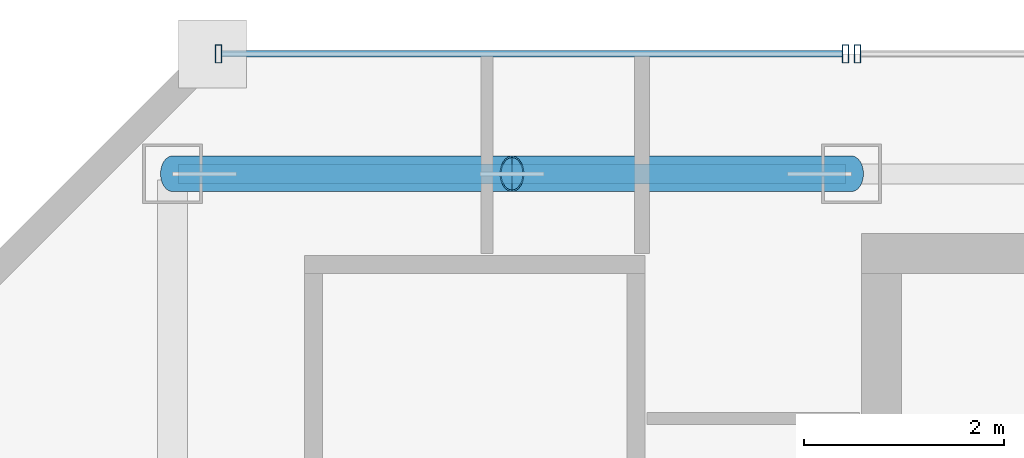
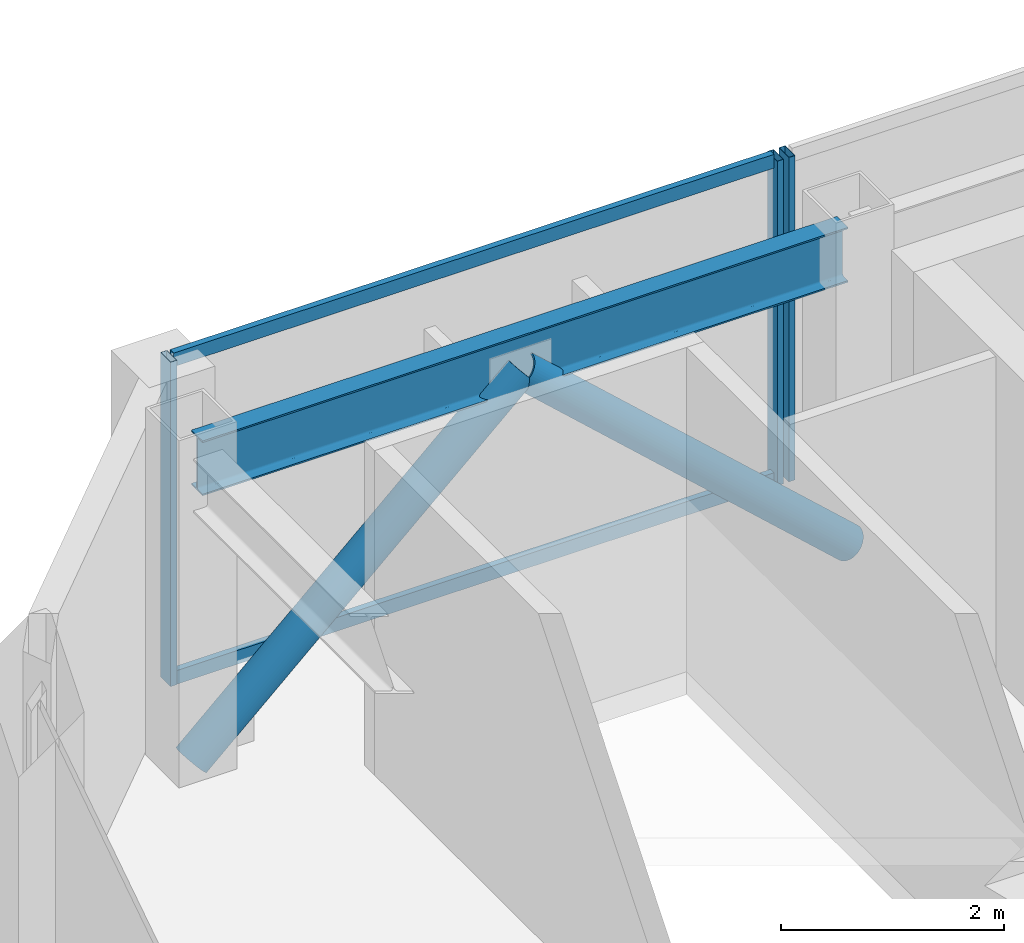
# One storey, part 20 of 32: 7 members, 1 beam, 2 elements without a shape of their own.
"""IFC4 building model written with IfcOpenShell, lengths in metres."""

from ifc_helpers import new_model, si_unit, direction, frame, origin, origin_2d, place, context, subcontext, project, spatial, hollow_rectangle, hollow_circle, i_section, extrude, material, material_profile, profile_set, type_object, element, aggregate, save


model = new_model("IFC4")

# Units and contexts
model_context = context("Model", 3, precision=1e-05, world=origin(), true_north=direction((0.0, 1.0)))
body_context = subcontext(model_context, "Body", "Model", "MODEL_VIEW")
ifc_project = project(units=[si_unit("LENGTHUNIT", "METRE"), si_unit("AREAUNIT", "SQUARE_METRE"), si_unit("VOLUMEUNIT", "CUBIC_METRE"), si_unit("PLANEANGLEUNIT", "RADIAN"), si_unit("MASSUNIT", "GRAM", prefix="KILO")], contexts=[model_context])

# Site, building, storey
site_placement = place(None, origin())
site = spatial("IfcSite", under=ifc_project, at=site_placement, CompositionType="ELEMENT")
building_placement = place(site_placement, origin())
building = spatial("IfcBuilding", under=site, at=building_placement, Name="Saevonmaru Cultural Tower", CompositionType="ELEMENT")
storey_placement = place(building_placement, frame((0.0, 0.0, 264.800048828125)))
storey = spatial("IfcBuildingStorey", under=building, at=storey_placement, Name="L62", CompositionType="ELEMENT", Elevation=264.800048828125)

# Beam
ifc_material_1 = material(Name="Steel SM355", Category="steel")
ifc_material_profile_1 = material_profile(ifc_material_1, i_section(OverallWidth=0.199951171875, OverallDepth=0.60009765625, WebThickness=0.010986328125, FlangeThickness=0.01708984375, FilletRadius=0.02197265625, at=origin_2d()), Name="H-600x200x11x17")
ifc_profile_set_1 = profile_set([ifc_material_profile_1], Name="Steel SM355")
beam_type = type_object("IfcBeamType", Name="BM-SP-H600", PredefinedType="SPANDREL", material=ifc_profile_set_1)
beam_placement = place(storey_placement, frame((6.860107421875, 54.800048828125, 3.25), z_axis=(1.0, 0.0, 0.0), x_axis=(0.0, 1.0, 0.0)))
element("IfcBeam", 1, at=beam_placement, inside=storey, type_object=beam_type, Name="L62 North Spine Girder 1", PredefinedType="SPANDREL", context=body_context, shape_type="SweptSolid", body=[
    extrude(i_section(OverallWidth=0.199951171875, OverallDepth=0.60009765625, WebThickness=0.010986328125, FlangeThickness=0.01708984375, FilletRadius=0.02197265625, at=origin_2d()), origin(), (0.0, 0.0, 1.0), 6.679931640625),
])

# Members
ifc_material_profile_2 = material_profile(ifc_material_1, hollow_circle(Radius=0.177734375, WallThickness=0.01611328125, at=origin_2d()), Name="CHS-355.6x16")
ifc_profile_set_2 = profile_set([ifc_material_profile_2], Name="Steel SM355")
member_type_1 = type_object("IfcMemberType", Name="MB-PBR-CHS356", PredefinedType="BRACE", material=ifc_profile_set_2)
member_1_placement = place(storey_placement, frame((6.800048828125, 54.800048828125, 0.02001953125), z_axis=(0.738962060105, 0.0, 0.673747039864), x_axis=(0.0, 1.0, 0.0)))
element("IfcMember", 2, at=member_1_placement, inside=storey, type_object=member_type_1, Name="L62 Perimeter Braced-Tube Diagonal WN1", PredefinedType="BRACE", context=body_context, shape_type="SweptSolid", body=[
    extrude(hollow_circle(Radius=0.177734375, WallThickness=0.01611328125, at=origin_2d()), origin(), (0.0, 0.0, 1.0), 4.600830078125),
])
member_2_placement = place(storey_placement, frame((13.60009765625, 54.800048828125, 0.02001953125), z_axis=(-0.738986146064, 0.0, 0.673720621568), x_axis=(0.0, -1.0, 0.0)))
element("IfcMember", 3, at=member_2_placement, inside=storey, type_object=member_type_1, Name="L62 Perimeter Braced-Tube Diagonal WN2", PredefinedType="BRACE", context=body_context, shape_type="SweptSolid", body=[
    extrude(hollow_circle(Radius=0.177734375, WallThickness=0.01611328125, at=origin_2d()), origin(), (0.0, 0.0, 1.0), 4.60107421875),
])

# Curtain wall, member
ifc_material_2 = material(Name="Satin Bronze Anodised Aluminium", Category="aluminium")
curtain_wall_type = type_object("IfcCurtainWallType", Name="CW-TYP-B", PredefinedType="NOTDEFINED", material=ifc_material_2)
curtain_wall_1_placement = place(storey_placement, origin())
curtain_wall_1 = element("IfcCurtainWall", 4, at=curtain_wall_1_placement, inside=storey, type_object=curtain_wall_type, Name="L62 North Spine Unitised Curtain Wall E10B", PredefinedType="NOTDEFINED")
ifc_material_profile_3 = material_profile(ifc_material_2, hollow_rectangle(XDim=0.06494140625, YDim=0.179931640625, WallThickness=0.00390625, at=origin_2d()), Name="ALU-MULL-180x65x4")
ifc_profile_set_3 = profile_set([ifc_material_profile_3], Name="Satin Bronze Anodised Aluminium")
member_type_2 = type_object("IfcMemberType", Name="ML-CW-180x65", PredefinedType="MULLION", material=ifc_profile_set_3)
member_3_placement = place(storey_placement, frame((13.659912109375, 56.0, 0.0), z_axis=(0.0, 0.0, 1.0), x_axis=(-1.0, 0.0, 0.0)))
member_3 = element("IfcMember", 5, at=member_3_placement, type_object=member_type_2, Name="CW-TW-L62-E10B mullion 4", PredefinedType="MULLION", context=body_context, shape_type="SweptSolid", body=[
    extrude(hollow_rectangle(XDim=0.06494140625, YDim=0.179931640625, WallThickness=0.00390625, at=origin_2d()), origin(), (0.0, 0.0, 1.0), 3.550048828125),
])
aggregate(curtain_wall_1, [member_3])

# Curtain wall, members
curtain_wall_2_placement = place(storey_placement, origin())
curtain_wall_2 = element("IfcCurtainWall", 6, at=curtain_wall_2_placement, inside=storey, type_object=curtain_wall_type, Name="L62 West Braced Bay Spandrel Curtain Wall E10C", PredefinedType="NOTDEFINED")
member_4_placement = place(storey_placement, frame((13.5400390625, 56.0, 0.0), z_axis=(0.0, 0.0, 1.0), x_axis=(-1.0, 0.0, 0.0)))
member_4 = element("IfcMember", 7, at=member_4_placement, type_object=member_type_2, Name="CW-TW-L62-E10C mullion 1", PredefinedType="MULLION", context=body_context, shape_type="SweptSolid", body=[
    extrude(hollow_rectangle(XDim=0.06494140625, YDim=0.179931640625, WallThickness=0.00390625, at=origin_2d()), origin(), (0.0, 0.0, 1.0), 3.550048828125),
])
member_5_placement = place(storey_placement, frame((7.260009765625, 56.0, 0.0), z_axis=(0.0, 0.0, 1.0), x_axis=(-1.0, 0.0, 0.0)))
member_5 = element("IfcMember", 8, at=member_5_placement, type_object=member_type_2, Name="CW-TW-L62-E10C mullion 2", PredefinedType="MULLION", context=body_context, shape_type="SweptSolid", body=[
    extrude(hollow_rectangle(XDim=0.06494140625, YDim=0.179931640625, WallThickness=0.00390625, at=origin_2d()), origin(), (0.0, 0.0, 1.0), 3.550048828125),
])
ifc_material_profile_4 = material_profile(ifc_material_2, hollow_rectangle(XDim=0.06494140625, YDim=0.14990234375, WallThickness=0.00390625, at=origin_2d()), Name="ALU-TRAN-150x65x4")
ifc_profile_set_4 = profile_set([ifc_material_profile_4], Name="Satin Bronze Anodised Aluminium")
member_type_3 = type_object("IfcMemberType", Name="TR-CW-150x65", PredefinedType="USERDEFINED", material=ifc_profile_set_4)
member_6_placement = place(storey_placement, frame((13.507568359375, 56.0, 0.032470703125), z_axis=(-1.0, 0.0, 0.0), x_axis=(0.0, -1.0, 0.0)))
member_6 = element("IfcMember", 9, at=member_6_placement, type_object=member_type_3, Name="CW-TW-L62-E10C transom 1.1", ObjectType="TRANSOM", PredefinedType="USERDEFINED", context=body_context, shape_type="SweptSolid", body=[
    extrude(hollow_rectangle(XDim=0.06494140625, YDim=0.14990234375, WallThickness=0.00390625, at=origin_2d()), origin(), (0.0, 0.0, 1.0), 6.215087890625),
])
member_7_placement = place(storey_placement, frame((13.507568359375, 56.0, 3.517333984375), z_axis=(-1.0, 0.0, 0.0), x_axis=(0.0, -1.0, 0.0)))
member_7 = element("IfcMember", 10, at=member_7_placement, type_object=member_type_3, Name="CW-TW-L62-E10C transom 1.2", ObjectType="TRANSOM", PredefinedType="USERDEFINED", context=body_context, shape_type="SweptSolid", body=[
    extrude(hollow_rectangle(XDim=0.06494140625, YDim=0.14990234375, WallThickness=0.00390625, at=origin_2d()), origin(), (0.0, 0.0, 1.0), 6.215087890625),
])
aggregate(curtain_wall_2, [member_4, member_5, member_6, member_7])

save(model, "model.ifc")
